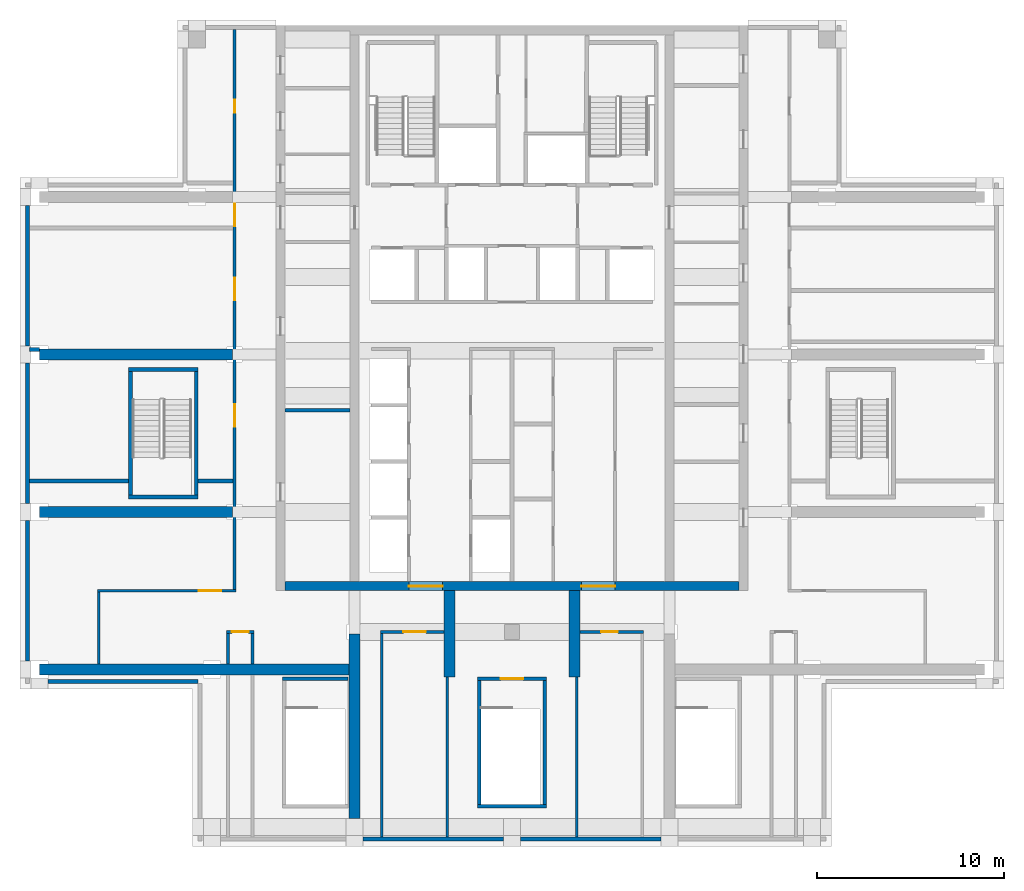
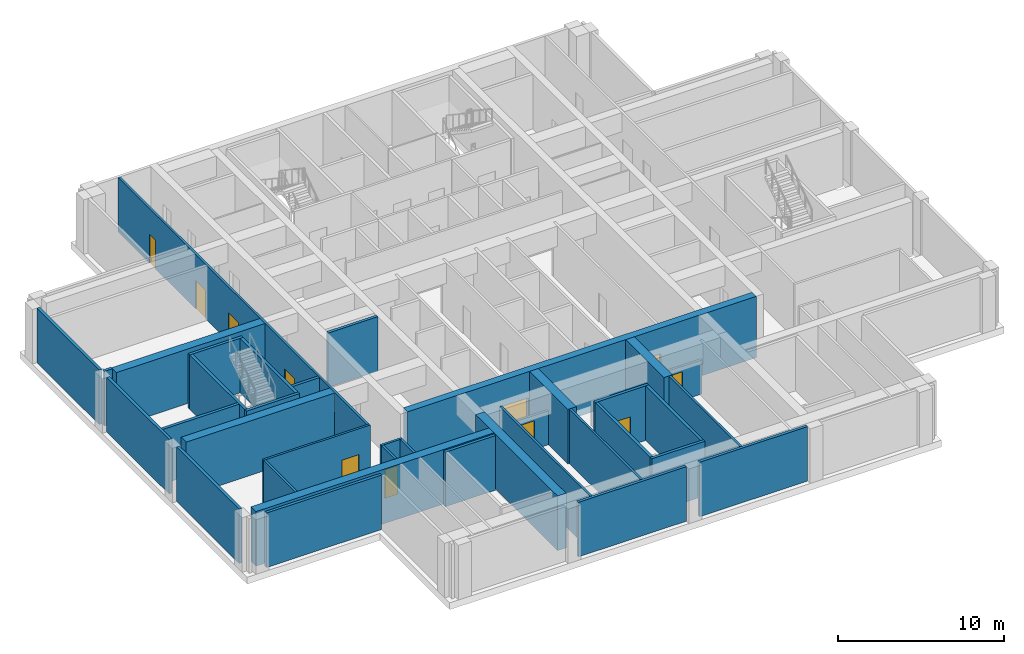
# One storey, part 2 of 11: 37 walls, 11 doors, 11 openings.
"""IFC4 building model written with IfcOpenShell, lengths in metres."""

from ifc_helpers import new_model, si_unit, direction, frame, frame_2d, origin, place, context, subcontext, project, spatial, rectangle, extrude, material, layer, layer_set, type_object, element, fill, save


model = new_model("IFC4")

# Units and contexts
model_context = context("Model", 3, precision=1e-05, world=origin(), true_north=direction((0.0, 1.0)))
body_context = subcontext(model_context, "Body", "Model", "MODEL_VIEW")
ifc_project = project(units=[si_unit("LENGTHUNIT", "METRE"), si_unit("AREAUNIT", "SQUARE_METRE"), si_unit("VOLUMEUNIT", "CUBIC_METRE"), si_unit("PLANEANGLEUNIT", "RADIAN"), si_unit("MASSUNIT", "GRAM", prefix="KILO")], contexts=[model_context])

# Site, building, storey
site_placement = place(None, origin())
site = spatial("IfcSite", under=ifc_project, at=site_placement, CompositionType="ELEMENT")
building_placement = place(site_placement, origin())
building = spatial("IfcBuilding", under=site, at=building_placement, Name="Vermilion Ogive Tower", CompositionType="ELEMENT")
storey_placement = place(building_placement, frame((0.0, 0.0, 264.85009765625)))
storey = spatial("IfcBuildingStorey", under=building, at=storey_placement, Name="L70", CompositionType="ELEMENT", Elevation=264.85009765625)

# Wall, openings, doors
ifc_material_1 = material(Name="Concrete B60", Category="concrete")
ifc_layer_1 = layer(ifc_material_1, 0.5)
ifc_layer_set_1 = layer_set([ifc_layer_1], Name="Core wall 500 B60")
wall_type_1 = type_object("IfcWallType", Name="Core wall 500 B60", PredefinedType="SHEAR", material=ifc_layer_set_1)
wall_1_placement = place(storey_placement, frame((-12.10009765625, -8.14990234375, -0.5), z_axis=(0.0, 0.0, 1.0), x_axis=(1.0, 0.0, 0.0)))
wall_1 = element("IfcWall", 1, at=wall_1_placement, inside=storey, type_object=wall_type_1, Name="L70-CORE-S", PredefinedType="SHEAR", context=body_context, shape_type="SweptSolid", body=[
    extrude(rectangle(XDim=24.2001953125, YDim=0.5, at=frame_2d((12.10009765625, 0.0))), origin(), (0.0, 0.0, 1.0), 4.5),
])
opening_1_placement = place(wall_1_placement, frame((6.60009765625, 0.0, 0.5)))
opening_1 = element("IfcOpeningElement", 2, at=opening_1_placement, cuts=wall_1, Name="Opening DBE005", PredefinedType="OPENING", context=body_context, shape_type="SweptSolid", body=[
    extrude(rectangle(XDim=1.800048828125, YDim=2.10009765625, at=frame_2d((0.89990234375, 1.050048828125))), frame((0.0, 0.260009765625, 0.0), z_axis=(0.0, -1.0, 0.0), x_axis=(1.0, 0.0, 0.0)), (0.0, 0.0, 1.0), 0.52001953125),
])
opening_2_placement = place(wall_1_placement, frame((15.800048828125, 0.0, 0.5)))
opening_2 = element("IfcOpeningElement", 3, at=opening_2_placement, cuts=wall_1, Name="Opening DBE006", PredefinedType="OPENING", context=body_context, shape_type="SweptSolid", body=[
    extrude(rectangle(XDim=1.800048828125, YDim=2.10009765625, at=frame_2d((0.89990234375, 1.050048828125))), frame((0.0, 0.260009765625, 0.0), z_axis=(0.0, -1.0, 0.0), x_axis=(1.0, 0.0, 0.0)), (0.0, 0.0, 1.0), 0.52001953125),
])
ifc_material_2 = material(Name="Timber door leaf", Category="wood")
door_type_1 = type_object("IfcDoorType", Name="Core entry door 1800 x 2100 FD60S", OperationType="DOUBLE_DOOR_SINGLE_SWING", PredefinedType="DOOR", material=ifc_material_2)
door_1_placement = place(opening_1_placement, origin())
door_1 = element("IfcDoor", 4, at=door_1_placement, inside=storey, type_object=door_type_1, Name="L70-CK-XD1", OperationType="SINGLE_SWING_LEFT", OverallHeight=2.10009765625, OverallWidth=1.800048828125, PredefinedType="DOOR", context=body_context, shape_type="SweptSolid", body=[
    extrude(rectangle(XDim=1.800048828125, YDim=2.10009765625, at=frame_2d((0.89990234375, 1.050048828125))), frame((0.0, 0.02490234375, 0.0), z_axis=(0.0, -1.0, 0.0), x_axis=(1.0, 0.0, 0.0)), (0.0, 0.0, 1.0), 0.050048828125),
])
fill(opening_1, door_1)
door_2_placement = place(opening_2_placement, origin())
door_2 = element("IfcDoor", 5, at=door_2_placement, inside=storey, type_object=door_type_1, Name="L70-CK-XD2", OperationType="SINGLE_SWING_LEFT", OverallHeight=2.10009765625, OverallWidth=1.800048828125, PredefinedType="DOOR", context=body_context, shape_type="SweptSolid", body=[
    extrude(rectangle(XDim=1.800048828125, YDim=2.10009765625, at=frame_2d((0.89990234375, 1.050048828125))), frame((0.0, 0.02490234375, 0.0), z_axis=(0.0, -1.0, 0.0), x_axis=(1.0, 0.0, 0.0)), (0.0, 0.0, 1.0), 0.050048828125),
])
fill(opening_2, door_2)

# Walls
ifc_material_3 = material(Name="Concrete B60", Category="concrete")
ifc_layer_2 = layer(ifc_material_3, 0.60009765625)
ifc_layer_set_2 = layer_set([ifc_layer_2], Name="Outrigger wall 600 B60")
wall_type_2 = type_object("IfcWallType", Name="Outrigger wall 600 B60", PredefinedType="SHEAR", material=ifc_layer_set_2)
wall_2_placement = place(storey_placement, frame((-8.550048828125, -12.60009765625, 0.0), z_axis=(0.0, 0.0, 1.0), x_axis=(-1.0, 0.0, 0.0)))
element("IfcWall", 6, at=wall_2_placement, inside=storey, type_object=wall_type_2, Name="L70-OW-EWW-12.6", PredefinedType="SHEAR", context=body_context, shape_type="SweptSolid", body=[
    extrude(rectangle(XDim=16.64990234375, YDim=0.60009765625, at=frame_2d((8.324951171875, 0.0))), origin(), (0.0, 0.0, 1.0), 4.0),
])
for number, where, z_axis, x_axis, name in (
    (7, (-14.89990234375, -4.199951171875, 0.0), (0.0, 0.0, 1.0), (-1.0, 0.0, 0.0), "L70-OW-EWW-4.2"),
    (8, (-14.89990234375, 4.199951171875, 0.0), (0.0, 0.0, 1.0), (-1.0, 0.0, 0.0), "L70-OW-EWW+4.2"),
):
    element("IfcWall", number, at=place(storey_placement, frame(where, z_axis=z_axis, x_axis=x_axis)), inside=storey, type_object=wall_type_2, Name=name, PredefinedType="SHEAR", context=body_context, shape_type="SweptSolid", body=[
        extrude(rectangle(XDim=10.300048828125, YDim=0.60009765625, at=frame_2d((5.14990234375, 0.0))), origin(), (0.0, 0.0, 1.0), 4.0),
    ])
wall_3_placement = place(storey_placement, frame((-8.39990234375, -10.699951171875, 0.0), z_axis=(0.0, 0.0, 1.0), x_axis=(0.0, -1.0, 0.0)))
element("IfcWall", 9, at=wall_3_placement, inside=storey, type_object=wall_type_2, Name="L70-OW-NS-8.4", PredefinedType="SHEAR", context=body_context, shape_type="SweptSolid", body=[
    extrude(rectangle(XDim=9.85009765625, YDim=0.60009765625, at=frame_2d((4.925048828125, 0.0))), origin(), (0.0, 0.0, 1.0), 4.0),
])

# Wall, opening, door
ifc_material_4 = material(Name="Gypsum board partition on steel studs", Category="steel")
ifc_layer_3 = layer(ifc_material_4, 0.14990234375)
ifc_layer_set_3 = layer_set([ifc_layer_3], Name="Partition 150 corridor")
wall_type_3 = type_object("IfcWallType", Name="Partition 150 corridor", PredefinedType="PARTITIONING", material=ifc_layer_set_3)
wall_4_placement = place(storey_placement, frame((-15.22509765625, -10.60009765625, 0.0), z_axis=(0.0, 0.0, 1.0), x_axis=(1.0, 0.0, 0.0)))
wall_4 = element("IfcWall", 10, at=wall_4_placement, inside=storey, type_object=wall_type_3, Name="L70-FS-W-W001", PredefinedType="PARTITIONING", context=body_context, shape_type="SweptSolid", body=[
    extrude(rectangle(XDim=1.4501953125, YDim=0.14990234375, at=frame_2d((0.72509765625, 0.0))), origin(), (0.0, 0.0, 1.0), 4.0),
])
opening_3_placement = place(wall_4_placement, frame((0.275146484375, 0.0, 0.0)))
opening_3 = element("IfcOpeningElement", 11, at=opening_3_placement, cuts=wall_4, Name="Opening L70S012", PredefinedType="OPENING", context=body_context, shape_type="SweptSolid", body=[
    extrude(rectangle(XDim=0.89990234375, YDim=2.10009765625, at=frame_2d((0.449951171875, 1.050048828125))), frame((0.0, 0.0849609375, 0.0), z_axis=(0.0, -1.0, 0.0), x_axis=(1.0, 0.0, 0.0)), (0.0, 0.0, 1.0), 0.169921875),
])
ifc_material_5 = material(Name="Timber door leaf", Category="wood")
door_type_2 = type_object("IfcDoorType", Name="Room door 900 x 2100 FD30", OperationType="SINGLE_SWING_LEFT", PredefinedType="DOOR", material=ifc_material_5)
door_3_placement = place(opening_3_placement, origin())
door_3 = element("IfcDoor", 12, at=door_3_placement, inside=storey, type_object=door_type_2, Name="L70-FS-D-D012", OperationType="SINGLE_SWING_RIGHT", OverallHeight=2.10009765625, OverallWidth=0.89990234375, PredefinedType="DOOR", context=body_context, shape_type="SweptSolid", body=[
    extrude(rectangle(XDim=0.89990234375, YDim=2.10009765625, at=frame_2d((0.449951171875, 1.050048828125))), frame((0.0, 0.02490234375, 0.0), z_axis=(0.0, -1.0, 0.0), x_axis=(1.0, 0.0, 0.0)), (0.0, 0.0, 1.0), 0.050048828125),
])
fill(opening_3, door_3)

wall_5_placement = place(storey_placement, frame((-7.02490234375, -10.60009765625, 0.0), z_axis=(0.0, 0.0, 1.0), x_axis=(1.0, 0.0, 0.0)))
wall_5 = element("IfcWall", 13, at=wall_5_placement, inside=storey, type_object=wall_type_3, Name="L70-FS-W-W002", PredefinedType="PARTITIONING", context=body_context, shape_type="SweptSolid", body=[
    extrude(rectangle(XDim=3.390625, YDim=0.14990234375, at=frame_2d((1.6953125, 0.0))), origin(), (0.0, 0.0, 1.0), 2.5),
])
opening_4_placement = place(wall_5_placement, frame((1.224853515625, 0.0, 0.0)))
opening_4 = element("IfcOpeningElement", 14, at=opening_4_placement, cuts=wall_5, Name="Opening L70S010", PredefinedType="OPENING", context=body_context, shape_type="SweptSolid", body=[
    extrude(rectangle(XDim=1.199951171875, YDim=2.10009765625, at=frame_2d((0.60009765625, 1.050048828125))), frame((0.0, 0.0849609375, 0.0), z_axis=(0.0, -1.0, 0.0), x_axis=(1.0, 0.0, 0.0)), (0.0, 0.0, 1.0), 0.169921875),
])
ifc_material_6 = material(Name="Timber door leaf", Category="wood")
door_type_3 = type_object("IfcDoorType", Name="Room door 1200 x 2100 FD30", OperationType="SINGLE_SWING_LEFT", PredefinedType="DOOR", material=ifc_material_6)
door_4_placement = place(opening_4_placement, origin())
door_4 = element("IfcDoor", 15, at=door_4_placement, inside=storey, type_object=door_type_3, Name="L70-FS-D-D010", OperationType="SINGLE_SWING_LEFT", OverallHeight=2.10009765625, OverallWidth=1.199951171875, PredefinedType="DOOR", context=body_context, shape_type="SweptSolid", body=[
    extrude(rectangle(XDim=1.199951171875, YDim=2.10009765625, at=frame_2d((0.60009765625, 1.050048828125))), frame((0.0, 0.02490234375, 0.0), z_axis=(0.0, -1.0, 0.0), x_axis=(1.0, 0.0, 0.0)), (0.0, 0.0, 1.0), 0.050048828125),
])
fill(opening_4, door_4)

wall_6_placement = place(storey_placement, frame((3.63427734375, -10.60009765625, 0.0), z_axis=(0.0, 0.0, 1.0), x_axis=(1.0, 0.0, 0.0)))
wall_6 = element("IfcWall", 16, at=wall_6_placement, inside=storey, type_object=wall_type_3, Name="L70-FS-W-W003", PredefinedType="PARTITIONING", context=body_context, shape_type="SweptSolid", body=[
    extrude(rectangle(XDim=3.390625, YDim=0.14990234375, at=frame_2d((1.6953125, 0.0))), origin(), (0.0, 0.0, 1.0), 2.5),
])
opening_5_placement = place(wall_6_placement, frame((1.11572265625, 0.0, 0.0)))
opening_5 = element("IfcOpeningElement", 17, at=opening_5_placement, cuts=wall_6, Name="Opening L70S013", PredefinedType="OPENING", context=body_context, shape_type="SweptSolid", body=[
    extrude(rectangle(XDim=0.89990234375, YDim=2.10009765625, at=frame_2d((0.449951171875, 1.050048828125))), frame((0.0, 0.0849609375, 0.0), z_axis=(0.0, -1.0, 0.0), x_axis=(1.0, 0.0, 0.0)), (0.0, 0.0, 1.0), 0.169921875),
])
door_5_placement = place(opening_5_placement, origin())
door_5 = element("IfcDoor", 18, at=door_5_placement, inside=storey, type_object=door_type_2, Name="L70-FS-D-D013", OperationType="SINGLE_SWING_RIGHT", OverallHeight=2.10009765625, OverallWidth=0.89990234375, PredefinedType="DOOR", context=body_context, shape_type="SweptSolid", body=[
    extrude(rectangle(XDim=0.89990234375, YDim=2.10009765625, at=frame_2d((0.449951171875, 1.050048828125))), frame((0.0, 0.02490234375, 0.0), z_axis=(0.0, -1.0, 0.0), x_axis=(1.0, 0.0, 0.0)), (0.0, 0.0, 1.0), 0.050048828125),
])
fill(opening_5, door_5)

wall_7_placement = place(storey_placement, frame((-22.125, -8.39990234375, 0.0), z_axis=(0.0, 0.0, 1.0), x_axis=(1.0, 0.0, 0.0)))
wall_7 = element("IfcWall", 19, at=wall_7_placement, inside=storey, type_object=wall_type_3, Name="L70-FS-W-W005", PredefinedType="PARTITIONING", context=body_context, shape_type="SweptSolid", body=[
    extrude(rectangle(XDim=7.39990234375, YDim=0.14990234375, at=frame_2d((3.699951171875, 0.0))), origin(), (0.0, 0.0, 1.0), 4.0),
])
opening_6_placement = place(wall_7_placement, frame((5.425048828125, 0.0, 0.0)))
opening_6 = element("IfcOpeningElement", 20, at=opening_6_placement, cuts=wall_7, Name="Opening L70S001", PredefinedType="OPENING", context=body_context, shape_type="SweptSolid", body=[
    extrude(rectangle(XDim=1.199951171875, YDim=2.10009765625, at=frame_2d((0.60009765625, 1.050048828125))), frame((0.0, 0.0849609375, 0.0), z_axis=(0.0, -1.0, 0.0), x_axis=(1.0, 0.0, 0.0)), (0.0, 0.0, 1.0), 0.169921875),
])
ifc_material_7 = material(Name="Timber door leaf", Category="wood")
door_type_4 = type_object("IfcDoorType", Name="Fire door 1200 x 2100 FD30", OperationType="SINGLE_SWING_LEFT", PredefinedType="DOOR", material=ifc_material_7)
door_6_placement = place(opening_6_placement, origin())
door_6 = element("IfcDoor", 21, at=door_6_placement, inside=storey, type_object=door_type_4, Name="L70-FS-D-D001", OperationType="SINGLE_SWING_RIGHT", OverallHeight=2.10009765625, OverallWidth=1.199951171875, PredefinedType="DOOR", context=body_context, shape_type="SweptSolid", body=[
    extrude(rectangle(XDim=1.199951171875, YDim=2.10009765625, at=frame_2d((0.60009765625, 1.050048828125))), frame((0.0, 0.02490234375, 0.0), z_axis=(0.0, -1.0, 0.0), x_axis=(1.0, 0.0, 0.0)), (0.0, 0.0, 1.0), 0.050048828125),
])
fill(opening_6, door_6)

# Walls
wall_8_placement = place(storey_placement, frame((-22.050048828125, -12.299072265625, 0.0), z_axis=(0.0, 0.0, 1.0), x_axis=(0.0, 1.0, 0.0)))
element("IfcWall", 22, at=wall_8_placement, inside=storey, type_object=wall_type_3, Name="L70-FS-W-W018", PredefinedType="PARTITIONING", context=body_context, shape_type="SweptSolid", body=[
    extrude(rectangle(XDim=3.823974609375, YDim=0.14990234375, at=frame_2d((1.912109375, 0.0))), origin(), (0.0, 0.0, 1.0), 4.0),
])
wall_9_placement = place(storey_placement, frame((-15.14990234375, -12.299072265625, 0.0), z_axis=(0.0, 0.0, 1.0), x_axis=(0.0, 1.0, 0.0)))
element("IfcWall", 23, at=wall_9_placement, inside=storey, type_object=wall_type_3, Name="L70-FS-W-W019b", PredefinedType="PARTITIONING", context=body_context, shape_type="SweptSolid", body=[
    extrude(rectangle(XDim=1.6240234375, YDim=0.14990234375, at=frame_2d((0.81201171875, 0.0))), origin(), (0.0, 0.0, 1.0), 4.0),
])

# Wall, openings, doors
wall_10_placement = place(storey_placement, frame((-14.800048828125, -8.324951171875, 0.0), z_axis=(0.0, 0.0, 1.0), x_axis=(0.0, 1.0, 0.0)))
wall_10 = element("IfcWall", 24, at=wall_10_placement, inside=storey, type_object=wall_type_3, Name="L70-FS-W-W020", PredefinedType="PARTITIONING", context=body_context, shape_type="SweptSolid", body=[
    extrude(rectangle(XDim=29.875, YDim=0.14990234375, at=frame_2d((14.9375, 0.0))), origin(), (0.0, 0.0, 1.0), 4.0),
])
opening_7_placement = place(wall_10_placement, frame((8.68505859375, 0.0, 0.0)))
opening_7 = element("IfcOpeningElement", 25, at=opening_7_placement, cuts=wall_10, Name="Opening L70S003", PredefinedType="OPENING", context=body_context, shape_type="SweptSolid", body=[
    extrude(rectangle(XDim=1.199951171875, YDim=2.10009765625, at=frame_2d((0.60009765625, 1.050048828125))), frame((0.0, 0.0849609375, 0.0), z_axis=(0.0, -1.0, 0.0), x_axis=(1.0, 0.0, 0.0)), (0.0, 0.0, 1.0), 0.169921875),
])
opening_8_placement = place(wall_10_placement, frame((15.43505859375, 0.0, 0.0)))
opening_8 = element("IfcOpeningElement", 26, at=opening_8_placement, cuts=wall_10, Name="Opening L70S004", PredefinedType="OPENING", context=body_context, shape_type="SweptSolid", body=[
    extrude(rectangle(XDim=1.199951171875, YDim=2.10009765625, at=frame_2d((0.60009765625, 1.050048828125))), frame((0.0, 0.0849609375, 0.0), z_axis=(0.0, -1.0, 0.0), x_axis=(1.0, 0.0, 0.0)), (0.0, 0.0, 1.0), 0.169921875),
])
opening_9_placement = place(wall_10_placement, frame((19.375, 0.0, 0.0)))
opening_9 = element("IfcOpeningElement", 27, at=opening_9_placement, cuts=wall_10, Name="Opening L70S005", PredefinedType="OPENING", context=body_context, shape_type="SweptSolid", body=[
    extrude(rectangle(XDim=1.199951171875, YDim=2.10009765625, at=frame_2d((0.60009765625, 1.050048828125))), frame((0.0, 0.0849609375, 0.0), z_axis=(0.0, -1.0, 0.0), x_axis=(1.0, 0.0, 0.0)), (0.0, 0.0, 1.0), 0.169921875),
])
opening_10_placement = place(wall_10_placement, frame((25.425048828125, 0.0, 0.0)))
opening_10 = element("IfcOpeningElement", 28, at=opening_10_placement, cuts=wall_10, Name="Opening L70S011", PredefinedType="OPENING", context=body_context, shape_type="SweptSolid", body=[
    extrude(rectangle(XDim=0.699951171875, YDim=2.10009765625, at=frame_2d((0.35009765625, 1.050048828125))), frame((0.0, 0.0849609375, 0.0), z_axis=(0.0, -1.0, 0.0), x_axis=(1.0, 0.0, 0.0)), (0.0, 0.0, 1.0), 0.169921875),
])
door_7_placement = place(opening_7_placement, origin())
door_7 = element("IfcDoor", 29, at=door_7_placement, inside=storey, type_object=door_type_3, Name="L70-FS-D-D003", OperationType="SINGLE_SWING_RIGHT", OverallHeight=2.10009765625, OverallWidth=1.199951171875, PredefinedType="DOOR", context=body_context, shape_type="SweptSolid", body=[
    extrude(rectangle(XDim=1.199951171875, YDim=2.10009765625, at=frame_2d((0.60009765625, 1.050048828125))), frame((0.0, 0.02490234375, 0.0), z_axis=(0.0, -1.0, 0.0), x_axis=(1.0, 0.0, 0.0)), (0.0, 0.0, 1.0), 0.050048828125),
])
fill(opening_7, door_7)
door_8_placement = place(opening_8_placement, origin())
door_8 = element("IfcDoor", 30, at=door_8_placement, inside=storey, type_object=door_type_3, Name="L70-FS-D-D004", OperationType="SINGLE_SWING_RIGHT", OverallHeight=2.10009765625, OverallWidth=1.199951171875, PredefinedType="DOOR", context=body_context, shape_type="SweptSolid", body=[
    extrude(rectangle(XDim=1.199951171875, YDim=2.10009765625, at=frame_2d((0.60009765625, 1.050048828125))), frame((0.0, 0.02490234375, 0.0), z_axis=(0.0, -1.0, 0.0), x_axis=(1.0, 0.0, 0.0)), (0.0, 0.0, 1.0), 0.050048828125),
])
fill(opening_8, door_8)
door_9_placement = place(opening_9_placement, origin())
door_9 = element("IfcDoor", 31, at=door_9_placement, inside=storey, type_object=door_type_3, Name="L70-FS-D-D005", OperationType="SINGLE_SWING_LEFT", OverallHeight=2.10009765625, OverallWidth=1.199951171875, PredefinedType="DOOR", context=body_context, shape_type="SweptSolid", body=[
    extrude(rectangle(XDim=1.199951171875, YDim=2.10009765625, at=frame_2d((0.60009765625, 1.050048828125))), frame((0.0, 0.02490234375, 0.0), z_axis=(0.0, -1.0, 0.0), x_axis=(1.0, 0.0, 0.0)), (0.0, 0.0, 1.0), 0.050048828125),
])
fill(opening_9, door_9)
ifc_material_8 = material(Name="Timber door leaf", Category="wood")
door_type_5 = type_object("IfcDoorType", Name="Room door 700 x 2100 FD30", OperationType="SINGLE_SWING_LEFT", PredefinedType="DOOR", material=ifc_material_8)
door_10_placement = place(opening_10_placement, origin())
door_10 = element("IfcDoor", 32, at=door_10_placement, inside=storey, type_object=door_type_5, Name="L70-FS-D-D011", OperationType="SINGLE_SWING_LEFT", OverallHeight=2.10009765625, OverallWidth=0.699951171875, PredefinedType="DOOR", context=body_context, shape_type="SweptSolid", body=[
    extrude(rectangle(XDim=0.699951171875, YDim=2.10009765625, at=frame_2d((0.35009765625, 1.050048828125))), frame((0.0, 0.02490234375, 0.0), z_axis=(0.0, -1.0, 0.0), x_axis=(1.0, 0.0, 0.0)), (0.0, 0.0, 1.0), 0.050048828125),
])
fill(opening_10, door_10)

# Walls
wall_11_placement = place(storey_placement, frame((-13.85009765625, -12.299072265625, 0.0), z_axis=(0.0, 0.0, 1.0), x_axis=(0.0, 1.0, 0.0)))
element("IfcWall", 33, at=wall_11_placement, inside=storey, type_object=wall_type_3, Name="L70-FS-W-W021b", PredefinedType="PARTITIONING", context=body_context, shape_type="SweptSolid", body=[
    extrude(rectangle(XDim=1.6240234375, YDim=0.14990234375, at=frame_2d((0.81201171875, 0.0))), origin(), (0.0, 0.0, 1.0), 4.0),
])
wall_12_placement = place(storey_placement, frame((-6.949951171875, -21.550048828125, 0.0), z_axis=(0.0, 0.0, 1.0), x_axis=(0.0, 1.0, 0.0)))
element("IfcWall", 34, at=wall_12_placement, inside=storey, type_object=wall_type_3, Name="L70-FS-W-W022", PredefinedType="PARTITIONING", context=body_context, shape_type="SweptSolid", body=[
    extrude(rectangle(XDim=10.875, YDim=0.14990234375, at=frame_2d((5.4375, 0.0))), origin(), (0.0, 0.0, 1.0), 4.0),
])
for number, where, z_axis, x_axis, name in (
    (35, (-3.449951171875, -21.550048828125, 0.0), (0.0, 0.0, 1.0), (0.0, 1.0, 0.0), "L70-FS-W-W023"),
    (36, (3.449951171875, -21.550048828125, 0.0), (0.0, 0.0, 1.0), (0.0, 1.0, 0.0), "L70-FS-W-W024"),
):
    element("IfcWall", number, at=place(storey_placement, frame(where, z_axis=z_axis, x_axis=x_axis)), inside=storey, type_object=wall_type_3, Name=name, PredefinedType="PARTITIONING", context=body_context, shape_type="SweptSolid", body=[
        extrude(rectangle(XDim=8.549072265625, YDim=0.14990234375, at=frame_2d((4.2744140625, 0.0))), origin(), (0.0, 0.0, 1.0), 4.0),
    ])
ifc_material_9 = material(Name="Gypsum board partition on steel studs", Category="steel")
ifc_layer_4 = layer(ifc_material_9, 0.199951171875)
ifc_layer_set_4 = layer_set([ifc_layer_4], Name="Partition 200 party")
wall_type_4 = type_object("IfcWallType", Name="Partition 200 party", PredefinedType="PARTITIONING", material=ifc_layer_set_4)
wall_13_placement = place(storey_placement, frame((-25.75, -2.550048828125, 0.0), z_axis=(0.0, 0.0, 1.0), x_axis=(1.0, 0.0, 0.0)))
element("IfcWall", 37, at=wall_13_placement, inside=storey, type_object=wall_type_4, Name="L70-FS-W-W007", PredefinedType="PARTITIONING", context=body_context, shape_type="SweptSolid", body=[
    extrude(rectangle(XDim=5.300048828125, YDim=0.199951171875, at=frame_2d((2.64990234375, 0.0))), origin(), (0.0, 0.0, 1.0), 4.0),
])
wall_14_placement = place(storey_placement, frame((-16.75, -2.550048828125, 0.0), z_axis=(0.0, 0.0, 1.0), x_axis=(1.0, 0.0, 0.0)))
element("IfcWall", 38, at=wall_14_placement, inside=storey, type_object=wall_type_4, Name="L70-FS-W-W008", PredefinedType="PARTITIONING", context=body_context, shape_type="SweptSolid", body=[
    extrude(rectangle(XDim=1.875, YDim=0.199951171875, at=frame_2d((0.9375, 0.0))), origin(), (0.0, 0.0, 1.0), 4.0),
])
wall_15_placement = place(storey_placement, frame((-25.75, 4.469970703125, 0.0), z_axis=(0.0, 0.0, 1.0), x_axis=(1.0, 0.0, 0.0)))
element("IfcWall", 39, at=wall_15_placement, inside=storey, type_object=wall_type_4, Name="L70-FS-W-W011", PredefinedType="PARTITIONING", context=body_context, shape_type="SweptSolid", body=[
    extrude(rectangle(XDim=0.549072265625, YDim=0.199951171875, at=frame_2d((0.2744140625, 0.0))), origin(), (0.0, 0.0, 1.0), 4.0),
])
wall_16_placement = place(storey_placement, frame((-12.09912109375, 1.22509765625, 0.0), z_axis=(0.0, 0.0, 1.0), x_axis=(1.0, 0.0, 0.0)))
element("IfcWall", 40, at=wall_16_placement, inside=storey, type_object=wall_type_4, Name="L70-CKW-W-W001", PredefinedType="PARTITIONING", context=body_context, shape_type="SweptSolid", body=[
    extrude(rectangle(XDim=3.4482421875, YDim=0.199951171875, at=frame_2d((1.72412109375, 0.0))), origin(), (0.0, 0.0, 1.0), 4.0),
])
ifc_material_10 = material(Name="Aluminium louvre panels", Category="aluminium")
ifc_layer_5 = layer(ifc_material_10, 0.199951171875)
ifc_layer_set_5 = layer_set([ifc_layer_5], Name="Plant louvre wall")
wall_type_5 = type_object("IfcWallType", Name="Plant louvre wall", PredefinedType="STANDARD", material=ifc_layer_set_5)
for number, where, z_axis, x_axis, name in (
    (41, (-7.949951171875, -21.64990234375, 0.0), (0.0, 0.0, 1.0), (1.0, 0.0, 0.0), "Window wall S2"),
    (42, (0.449951171875, -21.64990234375, 0.0), (0.0, 0.0, 1.0), (1.0, 0.0, 0.0), "Window wall S3"),
    (43, (-25.85009765625, 12.14990234375, 0.0), (0.0, 0.0, 1.0), (0.0, -1.0, 0.0), "Window wall W1"),
    (44, (-25.85009765625, 3.75, 0.0), (0.0, 0.0, 1.0), (0.0, -1.0, 0.0), "Window wall W2"),
    (45, (-25.85009765625, -4.64990234375, 0.0), (0.0, 0.0, 1.0), (0.0, -1.0, 0.0), "Window wall W3"),
):
    element("IfcWall", number, at=place(storey_placement, frame(where, z_axis=z_axis, x_axis=x_axis)), inside=storey, type_object=wall_type_5, Name=name, PredefinedType="STANDARD", context=body_context, shape_type="SweptSolid", body=[
        extrude(rectangle(XDim=7.5, YDim=0.199951171875, at=frame_2d((3.75, 0.0))), origin(), (0.0, 0.0, 1.0), 4.0),
    ])
wall_17_placement = place(storey_placement, frame((-24.75, -13.25, 0.0), z_axis=(0.0, 0.0, 1.0), x_axis=(1.0, 0.0, 0.0)))
element("IfcWall", 46, at=wall_17_placement, inside=storey, type_object=wall_type_5, Name="Window wall X71", PredefinedType="STANDARD", context=body_context, shape_type="SweptSolid", body=[
    extrude(rectangle(XDim=8.0, YDim=0.199951171875, at=frame_2d((4.0, 0.0))), origin(), (0.0, 0.0, 1.0), 4.0),
])
ifc_material_11 = material(Name="Concrete B60", Category="concrete")
ifc_layer_6 = layer(ifc_material_11, 0.199951171875)
ifc_layer_set_6 = layer_set([ifc_layer_6], Name="Stair enclosure wall 200 Concrete B60")
wall_type_6 = type_object("IfcWallType", Name="Stair enclosure wall 200 Concrete B60", PredefinedType="PARTITIONING", material=ifc_layer_set_6)
wall_18_placement = place(storey_placement, frame((-12.25, -13.10009765625, 0.0), z_axis=(0.0, 0.0, 1.0), x_axis=(1.0, 0.0, 0.0)))
element("IfcWall", 47, at=wall_18_placement, inside=storey, type_object=wall_type_6, Name="L70-SW-ST3-N1", PredefinedType="PARTITIONING", context=body_context, shape_type="SweptSolid", body=[
    extrude(rectangle(XDim=3.5, YDim=0.199951171875, at=frame_2d((1.75, 0.0))), origin(), (0.0, 0.0, 1.0), 4.0),
])
wall_19_placement = place(storey_placement, frame((-1.85009765625, -19.89990234375, 0.0), z_axis=(0.0, 0.0, 1.0), x_axis=(1.0, 0.0, 0.0)))
element("IfcWall", 48, at=wall_19_placement, inside=storey, type_object=wall_type_6, Name="L70-SW-ST4-S1", PredefinedType="PARTITIONING", context=body_context, shape_type="SweptSolid", body=[
    extrude(rectangle(XDim=3.7001953125, YDim=0.199951171875, at=frame_2d((1.85009765625, 0.0))), origin(), (0.0, 0.0, 1.0), 4.0),
])

# Wall, opening, door
wall_20_placement = place(storey_placement, frame((-1.85009765625, -13.10009765625, 0.0), z_axis=(0.0, 0.0, 1.0), x_axis=(1.0, 0.0, 0.0)))
wall_20 = element("IfcWall", 49, at=wall_20_placement, inside=storey, type_object=wall_type_6, Name="L70-SW-ST4-N1", PredefinedType="PARTITIONING", context=body_context, shape_type="SweptSolid", body=[
    extrude(rectangle(XDim=3.7001953125, YDim=0.199951171875, at=frame_2d((1.85009765625, 0.0))), origin(), (0.0, 0.0, 1.0), 4.0),
])
opening_11_placement = place(wall_20_placement, frame((1.25, 0.0, 0.0)))
opening_11 = element("IfcOpeningElement", 50, at=opening_11_placement, cuts=wall_20, Name="Opening L70-SD4", PredefinedType="OPENING", context=body_context, shape_type="SweptSolid", body=[
    extrude(rectangle(XDim=1.199951171875, YDim=2.10009765625, at=frame_2d((0.60009765625, 1.050048828125))), frame((0.0, 0.10986328125, 0.0), z_axis=(0.0, -1.0, 0.0), x_axis=(1.0, 0.0, 0.0)), (0.0, 0.0, 1.0), 0.219970703125),
])
ifc_material_12 = material(Name="Timber door leaf", Category="wood")
door_type_6 = type_object("IfcDoorType", Name="Stair door 1200 x 2100 FD60S", OperationType="SINGLE_SWING_LEFT", PredefinedType="DOOR", material=ifc_material_12)
door_11_placement = place(opening_11_placement, origin())
door_11 = element("IfcDoor", 51, at=door_11_placement, inside=storey, type_object=door_type_6, Name="Stair door ST4", OperationType="SINGLE_SWING_LEFT", OverallHeight=2.10009765625, OverallWidth=1.199951171875, PredefinedType="DOOR", context=body_context, shape_type="SweptSolid", body=[
    extrude(rectangle(XDim=1.199951171875, YDim=2.10009765625, at=frame_2d((0.60009765625, 1.050048828125))), frame((0.0, 0.02490234375, 0.0), z_axis=(0.0, -1.0, 0.0), x_axis=(1.0, 0.0, 0.0)), (0.0, 0.0, 1.0), 0.050048828125),
])
fill(opening_11, door_11)

# Walls
for number, where, z_axis, x_axis, name in (
    (52, (-1.75, -19.800048828125, 0.0), (0.0, 0.0, 1.0), (0.0, 1.0, 0.0), "L70-SW-ST4-W1"),
    (53, (1.75, -19.800048828125, 0.0), (0.0, 0.0, 1.0), (0.0, 1.0, 0.0), "L70-SW-ST4-E1"),
):
    element("IfcWall", number, at=place(storey_placement, frame(where, z_axis=z_axis, x_axis=x_axis)), inside=storey, type_object=wall_type_6, Name=name, PredefinedType="PARTITIONING", context=body_context, shape_type="SweptSolid", body=[
        extrude(rectangle(XDim=6.60009765625, YDim=0.199951171875, at=frame_2d((3.300048828125, 0.0))), origin(), (0.0, 0.0, 1.0), 4.0),
    ])
wall_21_placement = place(storey_placement, frame((-20.449951171875, 3.39990234375, 0.0), z_axis=(0.0, 0.0, 1.0), x_axis=(1.0, 0.0, 0.0)))
element("IfcWall", 54, at=wall_21_placement, inside=storey, type_object=wall_type_6, Name="L70-SW-ST9-N1", PredefinedType="PARTITIONING", context=body_context, shape_type="SweptSolid", body=[
    extrude(rectangle(XDim=3.699951171875, YDim=0.199951171875, at=frame_2d((1.85009765625, 0.0))), origin(), (0.0, 0.0, 1.0), 4.0),
])
ifc_material_13 = material(Name="Concrete B60", Category="concrete")
ifc_layer_7 = layer(ifc_material_13, 0.199951171875)
ifc_layer_set_7 = layer_set([ifc_layer_7], Name="Stair shaft wall 200 Concrete B60")
wall_type_7 = type_object("IfcWallType", Name="Stair shaft wall 200 Concrete B60", PredefinedType="SOLIDWALL", material=ifc_layer_set_7)
for number, where, z_axis, x_axis, name in (
    (55, (-3.333251953125, -13.0, 0.0), (0.0, 0.0, 1.0), (0.0, 1.0, 0.0), "L70-TW-1"),
    (56, (3.333251953125, -13.0, 0.0), (0.0, 0.0, 1.0), (0.0, 1.0, 0.0), "L70-TW-2"),
):
    element("IfcWall", number, at=place(storey_placement, frame(where, z_axis=z_axis, x_axis=x_axis)), inside=storey, type_object=wall_type_7, Name=name, PredefinedType="SOLIDWALL", context=body_context, shape_type="SweptSolid", body=[
        extrude(rectangle(XDim=4.60009765625, YDim=0.60009765625, at=frame_2d((2.300048828125, 0.0))), origin(), (0.0, 0.0, 1.0), 4.0),
    ])
wall_22_placement = place(storey_placement, frame((-20.449951171875, -3.39990234375, 0.0), z_axis=(0.0, 0.0, 1.0), x_axis=(1.0, 0.0, 0.0)))
element("IfcWall", 57, at=wall_22_placement, inside=storey, type_object=wall_type_7, Name="L70-SW-ST9-S1", PredefinedType="SOLIDWALL", context=body_context, shape_type="SweptSolid", body=[
    extrude(rectangle(XDim=3.699951171875, YDim=0.199951171875, at=frame_2d((1.85009765625, 0.0))), origin(), (0.0, 0.0, 1.0), 4.0),
])
for number, where, z_axis, x_axis, name in (
    (58, (-20.35009765625, -3.300048828125, 0.0), (0.0, 0.0, 1.0), (0.0, 1.0, 0.0), "L70-SW-ST9-W1"),
    (59, (-16.85009765625, -3.300048828125, 0.0), (0.0, 0.0, 1.0), (0.0, 1.0, 0.0), "L70-SW-ST9-E1"),
):
    element("IfcWall", number, at=place(storey_placement, frame(where, z_axis=z_axis, x_axis=x_axis)), inside=storey, type_object=wall_type_7, Name=name, PredefinedType="SOLIDWALL", context=body_context, shape_type="SweptSolid", body=[
        extrude(rectangle(XDim=6.60009765625, YDim=0.199951171875, at=frame_2d((3.300048828125, 0.0))), origin(), (0.0, 0.0, 1.0), 4.0),
    ])

save(model, "model.ifc")
